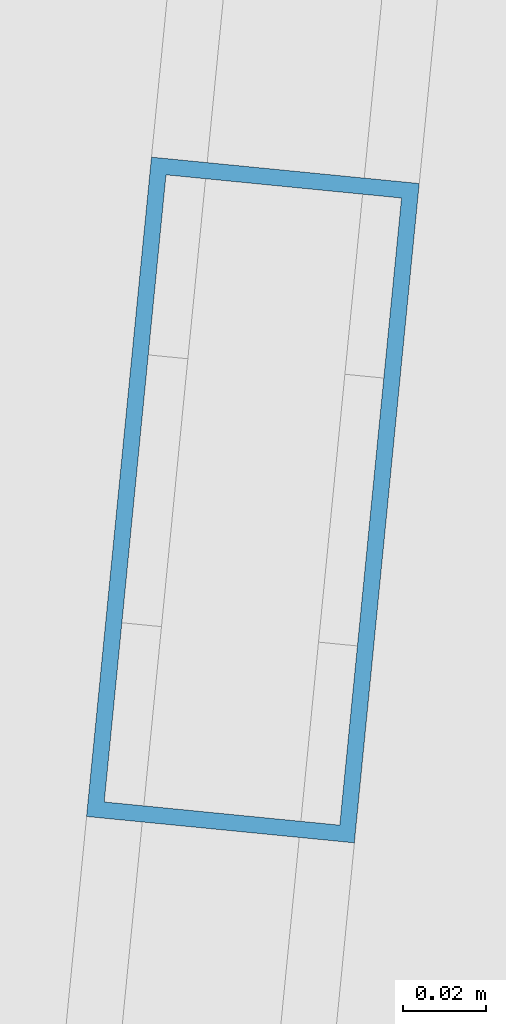
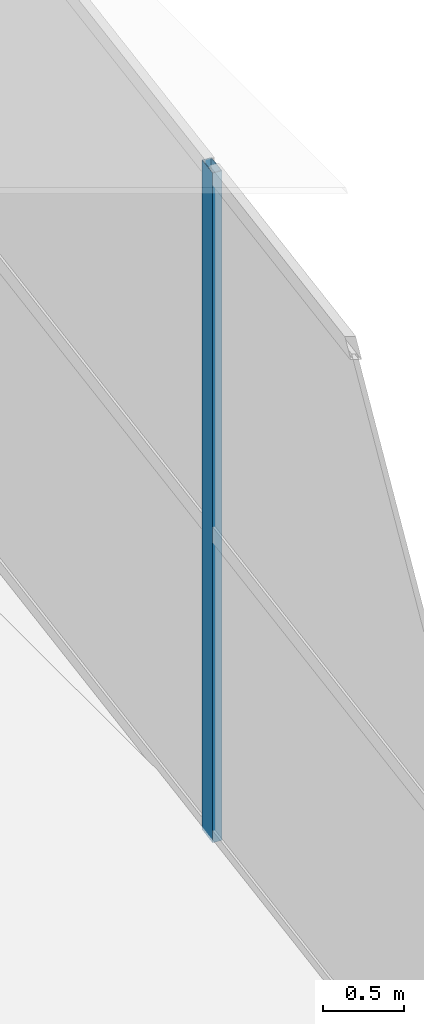
# One storey, part 21 of 58: 1 member, 1 element without a shape of its own.
"""IFC4 building model written with IfcOpenShell, lengths in metres."""

from ifc_helpers import new_model, si_unit, direction, frame, origin, origin_2d, place, context, subcontext, project, spatial, hollow_rectangle, extrude, material, layer, layer_set, material_profile, profile_set, type_object, element, aggregate, save


model = new_model("IFC4")

# Units and contexts
model_context = context("Model", 3, precision=1e-05, world=origin(), true_north=direction((0.0, 1.0)))
body_context = subcontext(model_context, "Body", "Model", "MODEL_VIEW")
ifc_project = project(units=[si_unit("LENGTHUNIT", "METRE"), si_unit("AREAUNIT", "SQUARE_METRE"), si_unit("VOLUMEUNIT", "CUBIC_METRE"), si_unit("PLANEANGLEUNIT", "RADIAN"), si_unit("MASSUNIT", "GRAM", prefix="KILO")], contexts=[model_context])

# Site, building, storey
site_placement = place(None, origin())
site = spatial("IfcSite", under=ifc_project, at=site_placement, CompositionType="ELEMENT")
building_placement = place(site_placement, origin())
building = spatial("IfcBuilding", under=site, at=building_placement, Name="Sillaruma Civic Art Gallery", CompositionType="ELEMENT")
storey_placement = place(building_placement, frame((0.0, 0.0, 22.43994140625)))
storey = spatial("IfcBuildingStorey", under=building, at=storey_placement, Name="L04", CompositionType="ELEMENT", Elevation=22.43994140625)

# Curtain wall, member
ifc_material = material(Name="Thermally Broken Extruded Aluminium 6063-T6", Category="aluminium")
ifc_layer = layer(ifc_material, 0.159912109375, Name="Thermally Broken Extruded Aluminium 6063-T6")
ifc_layer_set = layer_set([ifc_layer], Name="Thermally Broken Extruded Aluminium 6063-T6")
curtain_wall_type = type_object("IfcCurtainWallType", Name="CW-UNI-25", PredefinedType="NOTDEFINED", material=ifc_layer_set)
curtain_wall_placement = place(storey_placement, origin())
curtain_wall = element("IfcCurtainWall", 1, at=curtain_wall_placement, inside=storey, type_object=curtain_wall_type, Name="Unitised Curtain Wall CW-25 (CW-PRW-L04-E-ANG)", PredefinedType="NOTDEFINED")
ifc_material_profile = material_profile(ifc_material, hollow_rectangle(XDim=0.06494140625, YDim=0.159912109375, WallThickness=0.00390625, at=origin_2d()), Name="CWM65x160")
ifc_profile_set = profile_set([ifc_material_profile], Name="Thermally Broken Extruded Aluminium 6063-T6")
member_type = type_object("IfcMemberType", Name="MEM-MUL-CWM65x160", PredefinedType="MULLION", material=ifc_profile_set)
member_placement = place(storey_placement, frame((117.0, 56.10009765625, 0.0), z_axis=(0.0, 0.0, 1.0), x_axis=(-0.99518536297, 0.098010679679, 0.0)))
member = element("IfcMember", 2, at=member_placement, type_object=member_type, Name="CW-25 mullion 2", PredefinedType="MULLION", context=body_context, shape_type="SweptSolid", body=[
    extrude(hollow_rectangle(XDim=0.06494140625, YDim=0.159912109375, WallThickness=0.00390625, at=origin_2d()), origin(), (0.0, 0.0, 1.0), 5.06005859375),
])
aggregate(curtain_wall, [member])

save(model, "model.ifc")
